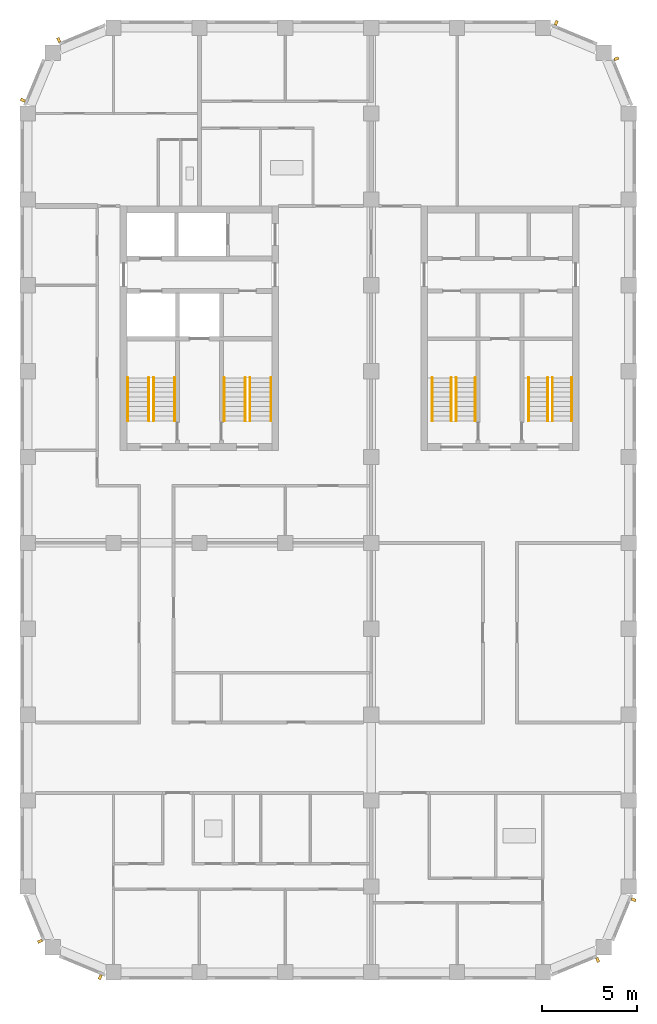
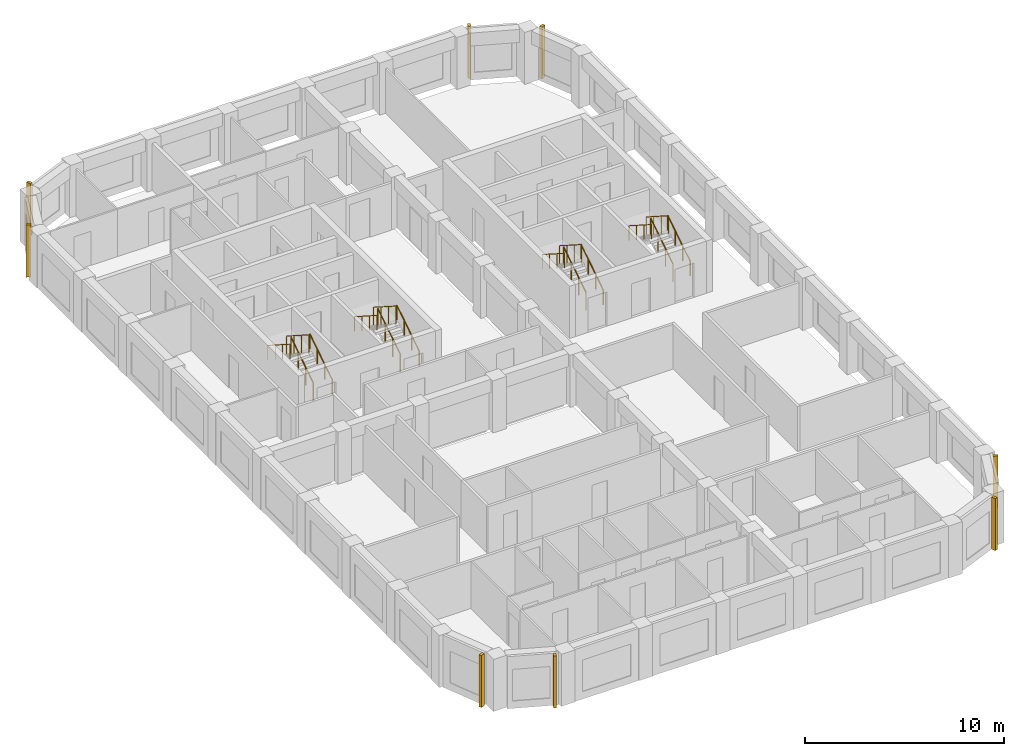
# One storey, part 9 of 10: 16 railings, 8 shading devices.
"""IFC4 building model written with IfcOpenShell, lengths in metres."""

import ifcopenshell
import ifcopenshell.guid

model = None  # the IFC model being written
_history = None  # IfcOwnerHistory: only IFC2X3 demands one
_inside = {}  # id of a spatial element -> (the spatial element, [elements in it])
_under = {}  # id of a project, library or spatial element -> (it, [spatial elements below it])
_declared = {}  # id of a project -> (the project, [libraries it declares])
_typed = {}  # id of a type object -> (the type object, [elements of that type])
_made_of = {}  # id of a material, layer set ... -> (it, [elements and type objects made of it])


def new_model(schema):
    """Start an empty IFC model of exactly this schema.

    Asked for "IFC4X3", IfcOpenShell would pick the latest addendum, in which some entities
    have other attributes; the version numbers below select the first issue.
    IFC2X3 requires an IfcOwnerHistory on every rooted entity: one is made here for all.
    """
    global model, _history
    if schema == "IFC4X3":
        model = ifcopenshell.file(schema_version=(4, 3, 0, 0))
    else:
        model = ifcopenshell.file(schema=schema)
    _inside.clear()
    _under.clear()
    _declared.clear()
    _typed.clear()
    _made_of.clear()
    _history = None
    if model.schema == "IFC2X3":
        org = make("IfcOrganization", Name="unknown")
        user = make(
            "IfcPersonAndOrganization",
            ThePerson=make("IfcPerson", FamilyName="unknown"),
            TheOrganization=org,
        )
        app = make(
            "IfcApplication",
            ApplicationDeveloper=org,
            Version="unknown",
            ApplicationFullName="unknown",
            ApplicationIdentifier="unknown",
        )
        _history = make(
            "IfcOwnerHistory",
            OwningUser=user,
            OwningApplication=app,
            ChangeAction="ADDED",
            CreationDate=0,
        )
    return model


def make(cls, **values):
    """One entity of the class cls with the attributes given. An attribute that is None is left unset."""
    return model.create_entity(
        cls, **{name: value for name, value in values.items() if value is not None}
    )


def rooted(cls, **values):
    """An entity with a GlobalId (a new one), such as an element, a storey or a relation."""
    return make(cls, GlobalId=ifcopenshell.guid.new(), OwnerHistory=_history, **values)


def si_unit(unit_type, name, prefix=None):
    """IfcSIUnit, for example si_unit("LENGTHUNIT", "METRE", prefix="MILLI")."""
    return make("IfcSIUnit", UnitType=unit_type, Prefix=prefix, Name=name)


def assignment(units):
    """IfcUnitAssignment: the units of a project."""
    return None if units is None else make("IfcUnitAssignment", Units=units)


def point(xyz):
    """IfcCartesianPoint."""
    return None if xyz is None else make("IfcCartesianPoint", Coordinates=xyz)


def direction(xyz):
    """IfcDirection."""
    return None if xyz is None else make("IfcDirection", DirectionRatios=xyz)


def frame(location, z_axis=None, x_axis=None):
    """IfcAxis2Placement3D, a coordinate frame: its origin and axes. An axis left out is left unset."""
    return make(
        "IfcAxis2Placement3D",
        Location=point(location),
        Axis=direction(z_axis),
        RefDirection=direction(x_axis),
    )


def frame_2d(location, x_axis=None):
    """IfcAxis2Placement2D, a coordinate frame in the plane: its origin and x axis."""
    return make(
        "IfcAxis2Placement2D", Location=point(location), RefDirection=direction(x_axis)
    )


def origin():
    """The frame at (0, 0, 0) with its axes left unset."""
    return frame((0.0, 0.0, 0.0))


def origin_2d():
    """The frame at (0, 0) in the plane with its x axis left unset."""
    return frame_2d((0.0, 0.0))


def place(relative_to, where):
    """IfcLocalPlacement: puts the frame where relative to a parent placement (None: the world)."""
    return make(
        "IfcLocalPlacement", PlacementRelTo=relative_to, RelativePlacement=where
    )


def context(
    kind, dimensions, precision=None, world=None, true_north=None, identifier=None
):
    """IfcGeometricRepresentationContext, for example the 3D "Model" context."""
    return make(
        "IfcGeometricRepresentationContext",
        ContextIdentifier=identifier,
        ContextType=kind,
        CoordinateSpaceDimension=dimensions,
        Precision=precision,
        WorldCoordinateSystem=world,
        TrueNorth=true_north,
    )


def subcontext(parent, identifier, kind, view, scale=None):
    """IfcGeometricRepresentationSubContext, for example "Body" below "Model"."""
    return make(
        "IfcGeometricRepresentationSubContext",
        ContextIdentifier=identifier,
        ContextType=kind,
        ParentContext=parent,
        TargetScale=scale,
        TargetView=view,
    )


def project(units=None, contexts=None):
    """IfcProject with its units and contexts."""
    return rooted(
        "IfcProject",
        Name="project",
        RepresentationContexts=contexts,
        UnitsInContext=assignment(units),
    )


def spatial(cls, under=None, at=None, **own):
    """A site, building, storey or space (cls), placed at a placement, below another one or the project."""
    s = rooted(cls, ObjectPlacement=at, **own)
    if under is not None:
        _under.setdefault(under.id(), (under, []))[1].append(s)
    return s


def profile(cls, at=None, kind="AREA", **sizes):
    """A parametric profile (cls). Its sizes go by their IFC names, for example OverallWidth=200.0."""
    return make(cls, ProfileType=kind, Position=at, **sizes)


def rectangle(**sizes):
    """IfcRectangleProfileDef."""
    return profile("IfcRectangleProfileDef", **sizes)


def circle(**sizes):
    """IfcCircleProfileDef."""
    return profile("IfcCircleProfileDef", **sizes)


def extrude(swept, where, along, depth):
    """IfcExtrudedAreaSolid: the profile swept, set in the frame where, extruded along a direction by depth."""
    return make(
        "IfcExtrudedAreaSolid",
        SweptArea=swept,
        Position=where,
        ExtrudedDirection=direction(along),
        Depth=depth,
    )


def shape(context_of_items, identifier, shape_type, items):
    """IfcShapeRepresentation: the items that make up one representation, for example the "Body"."""
    return make(
        "IfcShapeRepresentation",
        ContextOfItems=context_of_items,
        RepresentationIdentifier=identifier,
        RepresentationType=shape_type,
        Items=items,
    )


def material(Name=None, Category=None):
    """IfcMaterial."""
    return make("IfcMaterial", Name=Name, Category=Category)


def made_of(thing, what):
    """Note that an element or type object is made of a material, layer set ...; save() writes the relation."""
    if what is not None:
        _made_of.setdefault(what.id(), (what, []))[1].append(thing)
    return thing


def type_object(cls, material=None, **own):
    """A type object (cls), such as IfcWallType, which elements share."""
    return made_of(rooted(cls, **own), material)


def element(
    cls,
    number,
    at=None,
    inside=None,
    cuts=None,
    type_object=None,
    material=None,
    context=None,
    identifier="Body",
    shape_type=None,
    held_by="IfcProductDefinitionShape",
    body=None,
    shapes=None,
    **own,
):
    """One element of the class cls, such as IfcWall. Its Tag is "e" and its number.

    at: its placement. inside: the storey or other place that contains it. cuts: it is an
    opening in that element (IfcRelVoidsElement). A single representation is given by context,
    identifier, shape_type and body (its items); several are given by shapes. held_by: the class
    of the entity that holds the representations. save() writes the other relations.
    """
    e = rooted(cls, Tag="e%d" % number, ObjectPlacement=at, **own)
    if body is not None:
        shapes = [shape(context, identifier, shape_type, body)]
    if shapes is not None:
        e.Representation = make(held_by, Representations=shapes)
    if inside is not None:
        _inside.setdefault(inside.id(), (inside, []))[1].append(e)
    if cuts is not None:
        rooted(
            "IfcRelVoidsElement", RelatingBuildingElement=cuts, RelatedOpeningElement=e
        )
    if type_object is not None:
        _typed.setdefault(type_object.id(), (type_object, []))[1].append(e)
    return made_of(e, material)


def aggregate(whole, parts):
    """IfcRelAggregates: a whole, such as a stair, and the parts it consists of."""
    return rooted("IfcRelAggregates", RelatingObject=whole, RelatedObjects=parts)


def save(model, path):
    """Write the relations noted so far, then the file.

    IfcRelAggregates (storeys below a building ...), IfcRelContainedInSpatialStructure (elements
    in a storey), IfcRelDefinesByType, IfcRelAssociatesMaterial and IfcRelDeclares: one each for
    every whole, place, type object, material and project.
    """
    for whole, parts in _under.values():
        aggregate(whole, parts)
    for where, things in _inside.values():
        rooted(
            "IfcRelContainedInSpatialStructure",
            RelatedElements=things,
            RelatingStructure=where,
        )
    for kind, things in _typed.values():
        rooted("IfcRelDefinesByType", RelatedObjects=things, RelatingType=kind)
    for what, things in _made_of.values():
        rooted("IfcRelAssociatesMaterial", RelatedObjects=things, RelatingMaterial=what)
    for by, libraries in _declared.values():
        rooted("IfcRelDeclares", RelatingContext=by, RelatedDefinitions=libraries)
    model.write(path)


model = new_model("IFC4")

# Units and contexts
model_context = context("Model", 3, precision=1e-05, world=origin(), true_north=direction((0.0, 1.0)))
body_context = subcontext(model_context, "Body", "Model", "MODEL_VIEW")
ifc_project = project(units=[si_unit("LENGTHUNIT", "METRE"), si_unit("AREAUNIT", "SQUARE_METRE"), si_unit("VOLUMEUNIT", "CUBIC_METRE"), si_unit("PLANEANGLEUNIT", "RADIAN"), si_unit("MASSUNIT", "GRAM", prefix="KILO")], contexts=[model_context])

# Site, building, storey
site_placement = place(None, origin())
site = spatial("IfcSite", under=ifc_project, at=site_placement, CompositionType="ELEMENT")
building_placement = place(site_placement, origin())
building = spatial("IfcBuilding", under=site, at=building_placement, Name="Girih Gate Residences", CompositionType="ELEMENT")
storey_placement = place(building_placement, frame((0.0, 0.0, 195.5)))
storey = spatial("IfcBuildingStorey", under=building, at=storey_placement, Name="L54", CompositionType="ELEMENT", Elevation=195.5)

# Shading devices
ifc_material_1 = material(Name="Precast concrete C50/60", Category="concrete")
shading_device_type = type_object("IfcShadingDeviceType", Name="Corner rib 150x250", PredefinedType="USERDEFINED", material=ifc_material_1)
for number, where, z_axis, x_axis, name in (
    (1, (29.867919921875, 0.646728515625, 0.0), (0.0, 0.0, 1.0), (0.923879532511, 0.382683432365, 0.0), "Corner rib SE0270_0000.0"),
    (2, (31.752685546875, 3.80322265625, 0.0), (0.0, 0.0, 1.0), (0.382683432365, 0.923879532511, 0.0), "Corner rib SE0302_0013.0"),
    (3, (30.853271484375, 47.867919921875, 0.0), (0.0, 0.0, 1.0), (-0.382683432365, 0.923879532511, 0.0), "Corner rib NE0315_0450.0"),
    (4, (27.69677734375, 49.752685546875, 0.0), (0.0, 0.0, 1.0), (-0.923879532511, 0.382683432365, 0.0), "Corner rib NE0302_0482.0"),
    (5, (1.632080078125, 48.853271484375, 0.0), (0.0, 0.0, 1.0), (-0.923879532511, -0.382683432365, 0.0), "Corner rib NW0045_0495.0"),
    (6, (-0.252685546875, 45.69677734375, 0.0), (0.0, 0.0, 1.0), (-0.382683432365, -0.923879532511, 0.0), "Corner rib NW0013_0482.0"),
    (7, (0.646728515625, 1.632080078125, 0.0), (0.0, 0.0, 1.0), (0.382683432365, -0.923879532511, 0.0), "Corner rib SW0000_0045.0"),
    (8, (3.80322265625, -0.252685546875, 0.0), (0.0, 0.0, 1.0), (0.923879532511, -0.382683432365, 0.0), "Corner rib SW0013_0013.0"),
):
    element("IfcShadingDevice", number, at=place(storey_placement, frame(where, z_axis=z_axis, x_axis=x_axis)), inside=storey, type_object=shading_device_type, Name=name, ObjectType="FIN", PredefinedType="USERDEFINED", context=body_context, shape_type="SweptSolid", body=[
        extrude(rectangle(XDim=0.14990234375, YDim=0.25, at=origin_2d()), origin(), (0.0, 0.0, 1.0), 3.199951171875),
    ])

# Railings
ifc_material_2 = material(Name="Stainless steel", Category="steel")
railing_type_1 = type_object("IfcRailingType", Name="Stair guard 1100", PredefinedType="GUARDRAIL", material=ifc_material_2)
railing_1_placement = place(storey_placement, frame((6.60009765625, 28.89990234375, 0.159912109375)))
element("IfcRailing", 9, at=railing_1_placement, inside=storey, type_object=railing_type_1, Name="L54 ST-W1 stair guard 1", PredefinedType="GUARDRAIL", context=body_context, shape_type="SweptSolid", body=[
    extrude(circle(Radius=0.02392578125, at=origin_2d()), frame((0.0, 0.0, 1.076171875), z_axis=(0.0, 0.842239864353, 0.539102968731), x_axis=(-1.0, 0.0, 0.0)), (0.0, 0.0, 1.0), 2.67138671875),
    extrude(circle(Radius=0.02099609375, at=origin_2d()), origin(), (0.0, 0.0, 1.0), 1.052001953125),
    extrude(circle(Radius=0.02099609375, at=origin_2d()), frame((0.0, 0.75, 0.47998046875)), (0.0, 0.0, 1.0), 1.052001953125),
    extrude(circle(Radius=0.02099609375, at=origin_2d()), frame((0.0, 1.5, 0.960205078125)), (0.0, 0.0, 1.0), 1.052001953125),
    extrude(circle(Radius=0.02099609375, at=origin_2d()), frame((0.0, 2.25, 1.440185546875)), (0.0, 0.0, 1.0), 1.052001953125),
])
railing_2_placement = place(storey_placement, frame((6.35009765625, 31.14990234375, 1.760009765625)))
element("IfcRailing", 10, at=railing_2_placement, inside=storey, type_object=railing_type_1, Name="L54 ST-W1 stair guard 2", PredefinedType="GUARDRAIL", context=body_context, shape_type="SweptSolid", body=[
    extrude(circle(Radius=0.02392578125, at=origin_2d()), frame((0.0, 0.0, 1.076171875), z_axis=(0.0, -0.842281359387, 0.539038135598), x_axis=(1.0, 0.0, 0.0)), (0.0, 0.0, 1.0), 2.67138671875),
    extrude(circle(Radius=0.02099609375, at=origin_2d()), origin(), (0.0, 0.0, 1.0), 1.052001953125),
    extrude(circle(Radius=0.02099609375, at=origin_2d()), frame((0.0, -0.75, 0.47998046875)), (0.0, 0.0, 1.0), 1.052001953125),
    extrude(circle(Radius=0.02099609375, at=origin_2d()), frame((0.0, -1.5, 0.9599609375)), (0.0, 0.0, 1.0), 1.052001953125),
    extrude(circle(Radius=0.02099609375, at=origin_2d()), frame((0.0, -2.25, 1.43994140625)), (0.0, 0.0, 1.0), 1.052001953125),
])
railing_3_placement = place(storey_placement, frame((11.64990234375, 28.89990234375, 0.159912109375)))
element("IfcRailing", 11, at=railing_3_placement, inside=storey, type_object=railing_type_1, Name="L54 ST-W2 stair guard 1", PredefinedType="GUARDRAIL", context=body_context, shape_type="SweptSolid", body=[
    extrude(circle(Radius=0.02392578125, at=origin_2d()), frame((0.0, 0.0, 1.076171875), z_axis=(0.0, 0.842239864353, 0.539102968731), x_axis=(-1.0, 0.0, 0.0)), (0.0, 0.0, 1.0), 2.67138671875),
    extrude(circle(Radius=0.02099609375, at=origin_2d()), origin(), (0.0, 0.0, 1.0), 1.052001953125),
    extrude(circle(Radius=0.02099609375, at=origin_2d()), frame((0.0, 0.75, 0.47998046875)), (0.0, 0.0, 1.0), 1.052001953125),
    extrude(circle(Radius=0.02099609375, at=origin_2d()), frame((0.0, 1.5, 0.960205078125)), (0.0, 0.0, 1.0), 1.052001953125),
    extrude(circle(Radius=0.02099609375, at=origin_2d()), frame((0.0, 2.25, 1.440185546875)), (0.0, 0.0, 1.0), 1.052001953125),
])
railing_4_placement = place(storey_placement, frame((11.39990234375, 31.14990234375, 1.760009765625)))
element("IfcRailing", 12, at=railing_4_placement, inside=storey, type_object=railing_type_1, Name="L54 ST-W2 stair guard 2", PredefinedType="GUARDRAIL", context=body_context, shape_type="SweptSolid", body=[
    extrude(circle(Radius=0.02392578125, at=origin_2d()), frame((0.0, 0.0, 1.076171875), z_axis=(0.0, -0.842281359387, 0.539038135598), x_axis=(1.0, 0.0, 0.0)), (0.0, 0.0, 1.0), 2.67138671875),
    extrude(circle(Radius=0.02099609375, at=origin_2d()), origin(), (0.0, 0.0, 1.0), 1.052001953125),
    extrude(circle(Radius=0.02099609375, at=origin_2d()), frame((0.0, -0.75, 0.47998046875)), (0.0, 0.0, 1.0), 1.052001953125),
    extrude(circle(Radius=0.02099609375, at=origin_2d()), frame((0.0, -1.5, 0.9599609375)), (0.0, 0.0, 1.0), 1.052001953125),
    extrude(circle(Radius=0.02099609375, at=origin_2d()), frame((0.0, -2.25, 1.43994140625)), (0.0, 0.0, 1.0), 1.052001953125),
])
railing_5_placement = place(storey_placement, frame((22.449951171875, 28.89990234375, 0.159912109375)))
element("IfcRailing", 13, at=railing_5_placement, inside=storey, type_object=railing_type_1, Name="L54 ST-C1 stair guard 1", PredefinedType="GUARDRAIL", context=body_context, shape_type="SweptSolid", body=[
    extrude(circle(Radius=0.02392578125, at=origin_2d()), frame((0.0, 0.0, 1.076171875), z_axis=(0.0, 0.842239864353, 0.539102968731), x_axis=(-1.0, 0.0, 0.0)), (0.0, 0.0, 1.0), 2.67138671875),
    extrude(circle(Radius=0.02099609375, at=origin_2d()), origin(), (0.0, 0.0, 1.0), 1.052001953125),
    extrude(circle(Radius=0.02099609375, at=origin_2d()), frame((0.0, 0.75, 0.47998046875)), (0.0, 0.0, 1.0), 1.052001953125),
    extrude(circle(Radius=0.02099609375, at=origin_2d()), frame((0.0, 1.5, 0.960205078125)), (0.0, 0.0, 1.0), 1.052001953125),
    extrude(circle(Radius=0.02099609375, at=origin_2d()), frame((0.0, 2.25, 1.440185546875)), (0.0, 0.0, 1.0), 1.052001953125),
])
railing_6_placement = place(storey_placement, frame((22.199951171875, 31.14990234375, 1.760009765625)))
element("IfcRailing", 14, at=railing_6_placement, inside=storey, type_object=railing_type_1, Name="L54 ST-C1 stair guard 2", PredefinedType="GUARDRAIL", context=body_context, shape_type="SweptSolid", body=[
    extrude(circle(Radius=0.02392578125, at=origin_2d()), frame((0.0, 0.0, 1.076171875), z_axis=(0.0, -0.842281359387, 0.539038135598), x_axis=(1.0, 0.0, 0.0)), (0.0, 0.0, 1.0), 2.67138671875),
    extrude(circle(Radius=0.02099609375, at=origin_2d()), origin(), (0.0, 0.0, 1.0), 1.052001953125),
    extrude(circle(Radius=0.02099609375, at=origin_2d()), frame((0.0, -0.75, 0.47998046875)), (0.0, 0.0, 1.0), 1.052001953125),
    extrude(circle(Radius=0.02099609375, at=origin_2d()), frame((0.0, -1.5, 0.9599609375)), (0.0, 0.0, 1.0), 1.052001953125),
    extrude(circle(Radius=0.02099609375, at=origin_2d()), frame((0.0, -2.25, 1.43994140625)), (0.0, 0.0, 1.0), 1.052001953125),
])
railing_7_placement = place(storey_placement, frame((27.5, 28.89990234375, 0.159912109375)))
element("IfcRailing", 15, at=railing_7_placement, inside=storey, type_object=railing_type_1, Name="L54 ST-C2 stair guard 1", PredefinedType="GUARDRAIL", context=body_context, shape_type="SweptSolid", body=[
    extrude(circle(Radius=0.02392578125, at=origin_2d()), frame((0.0, 0.0, 1.076171875), z_axis=(0.0, 0.842239864353, 0.539102968731), x_axis=(-1.0, 0.0, 0.0)), (0.0, 0.0, 1.0), 2.67138671875),
    extrude(circle(Radius=0.02099609375, at=origin_2d()), origin(), (0.0, 0.0, 1.0), 1.052001953125),
    extrude(circle(Radius=0.02099609375, at=origin_2d()), frame((0.0, 0.75, 0.47998046875)), (0.0, 0.0, 1.0), 1.052001953125),
    extrude(circle(Radius=0.02099609375, at=origin_2d()), frame((0.0, 1.5, 0.960205078125)), (0.0, 0.0, 1.0), 1.052001953125),
    extrude(circle(Radius=0.02099609375, at=origin_2d()), frame((0.0, 2.25, 1.440185546875)), (0.0, 0.0, 1.0), 1.052001953125),
])
railing_8_placement = place(storey_placement, frame((27.25, 31.14990234375, 1.760009765625)))
element("IfcRailing", 16, at=railing_8_placement, inside=storey, type_object=railing_type_1, Name="L54 ST-C2 stair guard 2", PredefinedType="GUARDRAIL", context=body_context, shape_type="SweptSolid", body=[
    extrude(circle(Radius=0.02392578125, at=origin_2d()), frame((0.0, 0.0, 1.076171875), z_axis=(0.0, -0.842281359387, 0.539038135598), x_axis=(1.0, 0.0, 0.0)), (0.0, 0.0, 1.0), 2.67138671875),
    extrude(circle(Radius=0.02099609375, at=origin_2d()), origin(), (0.0, 0.0, 1.0), 1.052001953125),
    extrude(circle(Radius=0.02099609375, at=origin_2d()), frame((0.0, -0.75, 0.47998046875)), (0.0, 0.0, 1.0), 1.052001953125),
    extrude(circle(Radius=0.02099609375, at=origin_2d()), frame((0.0, -1.5, 0.9599609375)), (0.0, 0.0, 1.0), 1.052001953125),
    extrude(circle(Radius=0.02099609375, at=origin_2d()), frame((0.0, -2.25, 1.43994140625)), (0.0, 0.0, 1.0), 1.052001953125),
])
railing_type_2 = type_object("IfcRailingType", Name="Stair handrail 900", PredefinedType="HANDRAIL", material=ifc_material_2)
railing_9_placement = place(storey_placement, frame((7.699951171875, 28.89990234375, 0.159912109375)))
element("IfcRailing", 17, at=railing_9_placement, inside=storey, type_object=railing_type_2, Name="L54 ST-W1 stair handrail 1", PredefinedType="HANDRAIL", context=body_context, shape_type="SweptSolid", body=[
    extrude(circle(Radius=0.02392578125, at=origin_2d()), frame((0.0, 0.0, 0.8857421875), z_axis=(0.0, 0.842239864353, 0.539102968731), x_axis=(-1.0, 0.0, 0.0)), (0.0, 0.0, 1.0), 2.67138671875),
    extrude(circle(Radius=0.02099609375, at=origin_2d()), origin(), (0.0, 0.0, 1.0), 0.86181640625),
    extrude(circle(Radius=0.02099609375, at=origin_2d()), frame((0.0, 0.75, 0.47998046875)), (0.0, 0.0, 1.0), 0.86181640625),
    extrude(circle(Radius=0.02099609375, at=origin_2d()), frame((0.0, 1.5, 0.960205078125)), (0.0, 0.0, 1.0), 0.86181640625),
    extrude(circle(Radius=0.02099609375, at=origin_2d()), frame((0.0, 2.25, 1.440185546875)), (0.0, 0.0, 1.0), 0.86181640625),
])
railing_10_placement = place(storey_placement, frame((5.25, 31.14990234375, 1.760009765625)))
element("IfcRailing", 18, at=railing_10_placement, inside=storey, type_object=railing_type_2, Name="L54 ST-W1 stair handrail 2", PredefinedType="HANDRAIL", context=body_context, shape_type="SweptSolid", body=[
    extrude(circle(Radius=0.02392578125, at=origin_2d()), frame((0.0, 0.0, 0.8857421875), z_axis=(0.0, -0.842281359387, 0.539038135598), x_axis=(1.0, 0.0, 0.0)), (0.0, 0.0, 1.0), 2.67138671875),
    extrude(circle(Radius=0.02099609375, at=origin_2d()), origin(), (0.0, 0.0, 1.0), 0.86181640625),
    extrude(circle(Radius=0.02099609375, at=origin_2d()), frame((0.0, -0.75, 0.47998046875)), (0.0, 0.0, 1.0), 0.86181640625),
    extrude(circle(Radius=0.02099609375, at=origin_2d()), frame((0.0, -1.5, 0.9599609375)), (0.0, 0.0, 1.0), 0.86181640625),
    extrude(circle(Radius=0.02099609375, at=origin_2d()), frame((0.0, -2.25, 1.43994140625)), (0.0, 0.0, 1.0), 0.86181640625),
])
railing_11_placement = place(storey_placement, frame((12.75, 28.89990234375, 0.159912109375)))
element("IfcRailing", 19, at=railing_11_placement, inside=storey, type_object=railing_type_2, Name="L54 ST-W2 stair handrail 1", PredefinedType="HANDRAIL", context=body_context, shape_type="SweptSolid", body=[
    extrude(circle(Radius=0.02392578125, at=origin_2d()), frame((0.0, 0.0, 0.8857421875), z_axis=(0.0, 0.842239864353, 0.539102968731), x_axis=(-1.0, 0.0, 0.0)), (0.0, 0.0, 1.0), 2.67138671875),
    extrude(circle(Radius=0.02099609375, at=origin_2d()), origin(), (0.0, 0.0, 1.0), 0.86181640625),
    extrude(circle(Radius=0.02099609375, at=origin_2d()), frame((0.0, 0.75, 0.47998046875)), (0.0, 0.0, 1.0), 0.86181640625),
    extrude(circle(Radius=0.02099609375, at=origin_2d()), frame((0.0, 1.5, 0.960205078125)), (0.0, 0.0, 1.0), 0.86181640625),
    extrude(circle(Radius=0.02099609375, at=origin_2d()), frame((0.0, 2.25, 1.440185546875)), (0.0, 0.0, 1.0), 0.86181640625),
])
railing_12_placement = place(storey_placement, frame((10.300048828125, 31.14990234375, 1.760009765625)))
element("IfcRailing", 20, at=railing_12_placement, inside=storey, type_object=railing_type_2, Name="L54 ST-W2 stair handrail 2", PredefinedType="HANDRAIL", context=body_context, shape_type="SweptSolid", body=[
    extrude(circle(Radius=0.02392578125, at=origin_2d()), frame((0.0, 0.0, 0.8857421875), z_axis=(0.0, -0.842281359387, 0.539038135598), x_axis=(1.0, 0.0, 0.0)), (0.0, 0.0, 1.0), 2.67138671875),
    extrude(circle(Radius=0.02099609375, at=origin_2d()), origin(), (0.0, 0.0, 1.0), 0.86181640625),
    extrude(circle(Radius=0.02099609375, at=origin_2d()), frame((0.0, -0.75, 0.47998046875)), (0.0, 0.0, 1.0), 0.86181640625),
    extrude(circle(Radius=0.02099609375, at=origin_2d()), frame((0.0, -1.5, 0.9599609375)), (0.0, 0.0, 1.0), 0.86181640625),
    extrude(circle(Radius=0.02099609375, at=origin_2d()), frame((0.0, -2.25, 1.43994140625)), (0.0, 0.0, 1.0), 0.86181640625),
])
railing_13_placement = place(storey_placement, frame((23.449951171875, 28.89990234375, 0.159912109375)))
element("IfcRailing", 21, at=railing_13_placement, inside=storey, type_object=railing_type_2, Name="L54 ST-C1 stair handrail 1", PredefinedType="HANDRAIL", context=body_context, shape_type="SweptSolid", body=[
    extrude(circle(Radius=0.02392578125, at=origin_2d()), frame((0.0, 0.0, 0.8857421875), z_axis=(0.0, 0.842239864353, 0.539102968731), x_axis=(-1.0, 0.0, 0.0)), (0.0, 0.0, 1.0), 2.67138671875),
    extrude(circle(Radius=0.02099609375, at=origin_2d()), origin(), (0.0, 0.0, 1.0), 0.86181640625),
    extrude(circle(Radius=0.02099609375, at=origin_2d()), frame((0.0, 0.75, 0.47998046875)), (0.0, 0.0, 1.0), 0.86181640625),
    extrude(circle(Radius=0.02099609375, at=origin_2d()), frame((0.0, 1.5, 0.960205078125)), (0.0, 0.0, 1.0), 0.86181640625),
    extrude(circle(Radius=0.02099609375, at=origin_2d()), frame((0.0, 2.25, 1.440185546875)), (0.0, 0.0, 1.0), 0.86181640625),
])
railing_14_placement = place(storey_placement, frame((21.199951171875, 31.14990234375, 1.760009765625)))
element("IfcRailing", 22, at=railing_14_placement, inside=storey, type_object=railing_type_2, Name="L54 ST-C1 stair handrail 2", PredefinedType="HANDRAIL", context=body_context, shape_type="SweptSolid", body=[
    extrude(circle(Radius=0.02392578125, at=origin_2d()), frame((0.0, 0.0, 0.8857421875), z_axis=(0.0, -0.842281359387, 0.539038135598), x_axis=(1.0, 0.0, 0.0)), (0.0, 0.0, 1.0), 2.67138671875),
    extrude(circle(Radius=0.02099609375, at=origin_2d()), origin(), (0.0, 0.0, 1.0), 0.86181640625),
    extrude(circle(Radius=0.02099609375, at=origin_2d()), frame((0.0, -0.75, 0.47998046875)), (0.0, 0.0, 1.0), 0.86181640625),
    extrude(circle(Radius=0.02099609375, at=origin_2d()), frame((0.0, -1.5, 0.9599609375)), (0.0, 0.0, 1.0), 0.86181640625),
    extrude(circle(Radius=0.02099609375, at=origin_2d()), frame((0.0, -2.25, 1.43994140625)), (0.0, 0.0, 1.0), 0.86181640625),
])
railing_15_placement = place(storey_placement, frame((28.5, 28.89990234375, 0.159912109375)))
element("IfcRailing", 23, at=railing_15_placement, inside=storey, type_object=railing_type_2, Name="L54 ST-C2 stair handrail 1", PredefinedType="HANDRAIL", context=body_context, shape_type="SweptSolid", body=[
    extrude(circle(Radius=0.02392578125, at=origin_2d()), frame((0.0, 0.0, 0.8857421875), z_axis=(0.0, 0.842239864353, 0.539102968731), x_axis=(-1.0, 0.0, 0.0)), (0.0, 0.0, 1.0), 2.67138671875),
    extrude(circle(Radius=0.02099609375, at=origin_2d()), origin(), (0.0, 0.0, 1.0), 0.86181640625),
    extrude(circle(Radius=0.02099609375, at=origin_2d()), frame((0.0, 0.75, 0.47998046875)), (0.0, 0.0, 1.0), 0.86181640625),
    extrude(circle(Radius=0.02099609375, at=origin_2d()), frame((0.0, 1.5, 0.960205078125)), (0.0, 0.0, 1.0), 0.86181640625),
    extrude(circle(Radius=0.02099609375, at=origin_2d()), frame((0.0, 2.25, 1.440185546875)), (0.0, 0.0, 1.0), 0.86181640625),
])
railing_16_placement = place(storey_placement, frame((26.25, 31.14990234375, 1.760009765625)))
element("IfcRailing", 24, at=railing_16_placement, inside=storey, type_object=railing_type_2, Name="L54 ST-C2 stair handrail 2", PredefinedType="HANDRAIL", context=body_context, shape_type="SweptSolid", body=[
    extrude(circle(Radius=0.02392578125, at=origin_2d()), frame((0.0, 0.0, 0.8857421875), z_axis=(0.0, -0.842281359387, 0.539038135598), x_axis=(1.0, 0.0, 0.0)), (0.0, 0.0, 1.0), 2.67138671875),
    extrude(circle(Radius=0.02099609375, at=origin_2d()), origin(), (0.0, 0.0, 1.0), 0.86181640625),
    extrude(circle(Radius=0.02099609375, at=origin_2d()), frame((0.0, -0.75, 0.47998046875)), (0.0, 0.0, 1.0), 0.86181640625),
    extrude(circle(Radius=0.02099609375, at=origin_2d()), frame((0.0, -1.5, 0.9599609375)), (0.0, 0.0, 1.0), 0.86181640625),
    extrude(circle(Radius=0.02099609375, at=origin_2d()), frame((0.0, -2.25, 1.43994140625)), (0.0, 0.0, 1.0), 0.86181640625),
])

save(model, "model.ifc")
